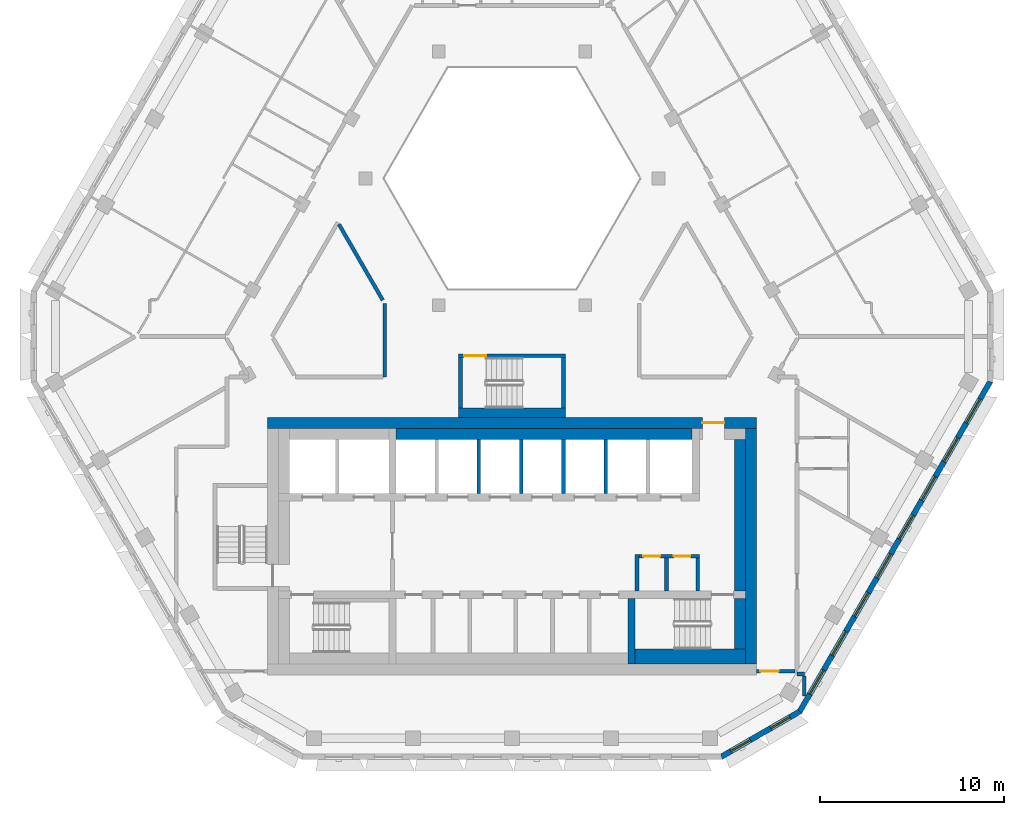
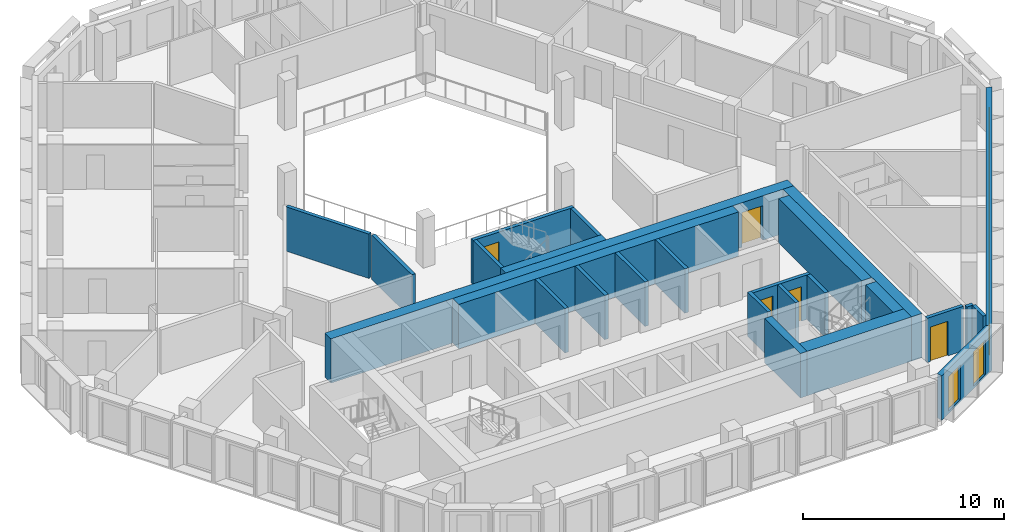
# One storey, part 5 of 17: 26 walls, 10 windows, 5 doors, 15 openings.
"""IFC4 building model written with IfcOpenShell, lengths in metres."""

import ifcopenshell
import ifcopenshell.guid

model = None  # the IFC model being written
_history = None  # IfcOwnerHistory: only IFC2X3 demands one
_inside = {}  # id of a spatial element -> (the spatial element, [elements in it])
_under = {}  # id of a project, library or spatial element -> (it, [spatial elements below it])
_declared = {}  # id of a project -> (the project, [libraries it declares])
_typed = {}  # id of a type object -> (the type object, [elements of that type])
_made_of = {}  # id of a material, layer set ... -> (it, [elements and type objects made of it])


def new_model(schema):
    """Start an empty IFC model of exactly this schema.

    Asked for "IFC4X3", IfcOpenShell would pick the latest addendum, in which some entities
    have other attributes; the version numbers below select the first issue.
    IFC2X3 requires an IfcOwnerHistory on every rooted entity: one is made here for all.
    """
    global model, _history
    if schema == "IFC4X3":
        model = ifcopenshell.file(schema_version=(4, 3, 0, 0))
    else:
        model = ifcopenshell.file(schema=schema)
    _inside.clear()
    _under.clear()
    _declared.clear()
    _typed.clear()
    _made_of.clear()
    _history = None
    if model.schema == "IFC2X3":
        org = make("IfcOrganization", Name="unknown")
        user = make(
            "IfcPersonAndOrganization",
            ThePerson=make("IfcPerson", FamilyName="unknown"),
            TheOrganization=org,
        )
        app = make(
            "IfcApplication",
            ApplicationDeveloper=org,
            Version="unknown",
            ApplicationFullName="unknown",
            ApplicationIdentifier="unknown",
        )
        _history = make(
            "IfcOwnerHistory",
            OwningUser=user,
            OwningApplication=app,
            ChangeAction="ADDED",
            CreationDate=0,
        )
    return model


def make(cls, **values):
    """One entity of the class cls with the attributes given. An attribute that is None is left unset."""
    return model.create_entity(
        cls, **{name: value for name, value in values.items() if value is not None}
    )


def rooted(cls, **values):
    """An entity with a GlobalId (a new one), such as an element, a storey or a relation."""
    return make(cls, GlobalId=ifcopenshell.guid.new(), OwnerHistory=_history, **values)


def si_unit(unit_type, name, prefix=None):
    """IfcSIUnit, for example si_unit("LENGTHUNIT", "METRE", prefix="MILLI")."""
    return make("IfcSIUnit", UnitType=unit_type, Prefix=prefix, Name=name)


def assignment(units):
    """IfcUnitAssignment: the units of a project."""
    return None if units is None else make("IfcUnitAssignment", Units=units)


def point(xyz):
    """IfcCartesianPoint."""
    return None if xyz is None else make("IfcCartesianPoint", Coordinates=xyz)


def direction(xyz):
    """IfcDirection."""
    return None if xyz is None else make("IfcDirection", DirectionRatios=xyz)


def frame(location, z_axis=None, x_axis=None):
    """IfcAxis2Placement3D, a coordinate frame: its origin and axes. An axis left out is left unset."""
    return make(
        "IfcAxis2Placement3D",
        Location=point(location),
        Axis=direction(z_axis),
        RefDirection=direction(x_axis),
    )


def frame_2d(location, x_axis=None):
    """IfcAxis2Placement2D, a coordinate frame in the plane: its origin and x axis."""
    return make(
        "IfcAxis2Placement2D", Location=point(location), RefDirection=direction(x_axis)
    )


def origin():
    """The frame at (0, 0, 0) with its axes left unset."""
    return frame((0.0, 0.0, 0.0))


def place(relative_to, where):
    """IfcLocalPlacement: puts the frame where relative to a parent placement (None: the world)."""
    return make(
        "IfcLocalPlacement", PlacementRelTo=relative_to, RelativePlacement=where
    )


def context(
    kind, dimensions, precision=None, world=None, true_north=None, identifier=None
):
    """IfcGeometricRepresentationContext, for example the 3D "Model" context."""
    return make(
        "IfcGeometricRepresentationContext",
        ContextIdentifier=identifier,
        ContextType=kind,
        CoordinateSpaceDimension=dimensions,
        Precision=precision,
        WorldCoordinateSystem=world,
        TrueNorth=true_north,
    )


def subcontext(parent, identifier, kind, view, scale=None):
    """IfcGeometricRepresentationSubContext, for example "Body" below "Model"."""
    return make(
        "IfcGeometricRepresentationSubContext",
        ContextIdentifier=identifier,
        ContextType=kind,
        ParentContext=parent,
        TargetScale=scale,
        TargetView=view,
    )


def project(units=None, contexts=None):
    """IfcProject with its units and contexts."""
    return rooted(
        "IfcProject",
        Name="project",
        RepresentationContexts=contexts,
        UnitsInContext=assignment(units),
    )


def spatial(cls, under=None, at=None, **own):
    """A site, building, storey or space (cls), placed at a placement, below another one or the project."""
    s = rooted(cls, ObjectPlacement=at, **own)
    if under is not None:
        _under.setdefault(under.id(), (under, []))[1].append(s)
    return s


def polyline(points):
    """IfcPolyline through the points."""
    return make("IfcPolyline", Points=[point(p) for p in points])


def profile(cls, at=None, kind="AREA", **sizes):
    """A parametric profile (cls). Its sizes go by their IFC names, for example OverallWidth=200.0."""
    return make(cls, ProfileType=kind, Position=at, **sizes)


def rectangle(**sizes):
    """IfcRectangleProfileDef."""
    return profile("IfcRectangleProfileDef", **sizes)


def outline(outer, holes=None, kind="AREA"):
    """IfcArbitraryClosedProfileDef: a profile drawn as a closed curve; with holes, ...WithVoids."""
    if holes is None:
        return make("IfcArbitraryClosedProfileDef", ProfileType=kind, OuterCurve=outer)
    return make(
        "IfcArbitraryProfileDefWithVoids",
        ProfileType=kind,
        OuterCurve=outer,
        InnerCurves=holes,
    )


def extrude(swept, where, along, depth):
    """IfcExtrudedAreaSolid: the profile swept, set in the frame where, extruded along a direction by depth."""
    return make(
        "IfcExtrudedAreaSolid",
        SweptArea=swept,
        Position=where,
        ExtrudedDirection=direction(along),
        Depth=depth,
    )


def shape(context_of_items, identifier, shape_type, items):
    """IfcShapeRepresentation: the items that make up one representation, for example the "Body"."""
    return make(
        "IfcShapeRepresentation",
        ContextOfItems=context_of_items,
        RepresentationIdentifier=identifier,
        RepresentationType=shape_type,
        Items=items,
    )


def material(Name=None, Category=None):
    """IfcMaterial."""
    return make("IfcMaterial", Name=Name, Category=Category)


def layer(
    of_material, thickness, ventilated=None, Name=None, Category=None, Priority=None
):
    """IfcMaterialLayer: one layer of a wall or slab, of a material (None: an air gap)."""
    return make(
        "IfcMaterialLayer",
        Material=of_material,
        LayerThickness=thickness,
        IsVentilated=ventilated,
        Name=Name,
        Category=Category,
        Priority=Priority,
    )


def layer_set(layers, Name=None):
    """IfcMaterialLayerSet."""
    return make("IfcMaterialLayerSet", MaterialLayers=layers, LayerSetName=Name)


def made_of(thing, what):
    """Note that an element or type object is made of a material, layer set ...; save() writes the relation."""
    if what is not None:
        _made_of.setdefault(what.id(), (what, []))[1].append(thing)
    return thing


def type_object(cls, material=None, **own):
    """A type object (cls), such as IfcWallType, which elements share."""
    return made_of(rooted(cls, **own), material)


def element(
    cls,
    number,
    at=None,
    inside=None,
    cuts=None,
    type_object=None,
    material=None,
    context=None,
    identifier="Body",
    shape_type=None,
    held_by="IfcProductDefinitionShape",
    body=None,
    shapes=None,
    **own,
):
    """One element of the class cls, such as IfcWall. Its Tag is "e" and its number.

    at: its placement. inside: the storey or other place that contains it. cuts: it is an
    opening in that element (IfcRelVoidsElement). A single representation is given by context,
    identifier, shape_type and body (its items); several are given by shapes. held_by: the class
    of the entity that holds the representations. save() writes the other relations.
    """
    e = rooted(cls, Tag="e%d" % number, ObjectPlacement=at, **own)
    if body is not None:
        shapes = [shape(context, identifier, shape_type, body)]
    if shapes is not None:
        e.Representation = make(held_by, Representations=shapes)
    if inside is not None:
        _inside.setdefault(inside.id(), (inside, []))[1].append(e)
    if cuts is not None:
        rooted(
            "IfcRelVoidsElement", RelatingBuildingElement=cuts, RelatedOpeningElement=e
        )
    if type_object is not None:
        _typed.setdefault(type_object.id(), (type_object, []))[1].append(e)
    return made_of(e, material)


def fill(opening, filler):
    """IfcRelFillsElement: the door or window that sits in an opening."""
    return rooted(
        "IfcRelFillsElement",
        RelatingOpeningElement=opening,
        RelatedBuildingElement=filler,
    )


def aggregate(whole, parts):
    """IfcRelAggregates: a whole, such as a stair, and the parts it consists of."""
    return rooted("IfcRelAggregates", RelatingObject=whole, RelatedObjects=parts)


def save(model, path):
    """Write the relations noted so far, then the file.

    IfcRelAggregates (storeys below a building ...), IfcRelContainedInSpatialStructure (elements
    in a storey), IfcRelDefinesByType, IfcRelAssociatesMaterial and IfcRelDeclares: one each for
    every whole, place, type object, material and project.
    """
    for whole, parts in _under.values():
        aggregate(whole, parts)
    for where, things in _inside.values():
        rooted(
            "IfcRelContainedInSpatialStructure",
            RelatedElements=things,
            RelatingStructure=where,
        )
    for kind, things in _typed.values():
        rooted("IfcRelDefinesByType", RelatedObjects=things, RelatingType=kind)
    for what, things in _made_of.values():
        rooted("IfcRelAssociatesMaterial", RelatedObjects=things, RelatingMaterial=what)
    for by, libraries in _declared.values():
        rooted("IfcRelDeclares", RelatingContext=by, RelatedDefinitions=libraries)
    model.write(path)


model = new_model("IFC4")

# Units and contexts
model_context = context("Model", 3, precision=1e-05, world=origin(), true_north=direction((0.0, 1.0)))
body_context = subcontext(model_context, "Body", "Model", "MODEL_VIEW")
ifc_project = project(units=[si_unit("LENGTHUNIT", "METRE"), si_unit("AREAUNIT", "SQUARE_METRE"), si_unit("VOLUMEUNIT", "CUBIC_METRE"), si_unit("PLANEANGLEUNIT", "RADIAN"), si_unit("MASSUNIT", "GRAM", prefix="KILO")], contexts=[model_context])

# Site, building, storey
site_placement = place(None, origin())
site = spatial("IfcSite", under=ifc_project, at=site_placement, CompositionType="ELEMENT")
building_placement = place(site_placement, origin())
building = spatial("IfcBuilding", under=site, at=building_placement, Name="Beryl Residences", CompositionType="ELEMENT")
storey_placement = place(building_placement, frame((0.0, 0.0, 172.199951171875)))
storey = spatial("IfcBuildingStorey", under=building, at=storey_placement, Name="L52", CompositionType="ELEMENT", Elevation=172.199951171875)

# Wall, openings, windows
ifc_material_1 = material(Name="Composite metal panel with mineral wool insulation")
ifc_layer_1 = layer(ifc_material_1, 0.300048828125)
ifc_layer_set_1 = layer_set([ifc_layer_1], Name="ES1 pale metal composite panel wall 300 mm")
wall_type_1 = type_object("IfcWallType", Name="ES1 pale metal composite panel wall 300 mm", PredefinedType="SOLIDWALL", material=ifc_layer_set_1)
wall_1_placement = place(storey_placement, frame((11.35595703125, -23.469970703125, 0.0), z_axis=(0.0, 0.0, 1.0), x_axis=(0.866022959057, 0.500004234368, 0.0)))
wall_1 = element("IfcWall", 1, at=wall_1_placement, inside=storey, type_object=wall_type_1, Name="ES1 external wall L52 S-SE", PredefinedType="SOLIDWALL", context=body_context, shape_type="SweptSolid", body=[
    extrude(outline(polyline([(0.0, -0.14990234375), (5.0, -0.14990234375), (4.919677734375, 0.14990234375), (0.080322265625, 0.14990234375), (0.0, -0.14990234375)])), origin(), (0.0, 0.0, 1.0), 2.699951171875),
])
opening_1_placement = place(wall_1_placement, frame((0.64990234375, 0.0, 0.14990234375)))
opening_1 = element("IfcOpeningElement", 2, at=opening_1_placement, cuts=wall_1, Name="Opening W2", PredefinedType="OPENING", context=body_context, shape_type="SweptSolid", body=[
    extrude(rectangle(XDim=1.199951171875, YDim=2.10009765625, at=frame_2d((0.60009765625, 1.050048828125))), frame((0.0, 0.159912109375, 0.0), z_axis=(0.0, -1.0, 0.0), x_axis=(1.0, 0.0, 0.0)), (0.0, 0.0, 1.0), 0.320068359375),
])
opening_2_placement = place(wall_1_placement, frame((3.14892578125, 0.0, 0.14990234375)))
opening_2 = element("IfcOpeningElement", 3, at=opening_2_placement, cuts=wall_1, Name="Opening W2", PredefinedType="OPENING", context=body_context, shape_type="SweptSolid", body=[
    extrude(rectangle(XDim=1.199951171875, YDim=2.10009765625, at=frame_2d((0.60009765625, 1.050048828125))), frame((0.0, 0.159912109375, 0.0), z_axis=(0.0, -1.0, 0.0), x_axis=(1.0, 0.0, 0.0)), (0.0, 0.0, 1.0), 0.320068359375),
])
ifc_material_2 = material(Name="Aluminium and clear glass", Category="aluminium")
window_type_1 = type_object("IfcWindowType", Name="W2 chamfer window 1200 x 2100 mm", PartitioningType="SINGLE_PANEL", PredefinedType="WINDOW", material=ifc_material_2)
window_1_placement = place(opening_1_placement, origin())
window_1 = element("IfcWindow", 4, at=window_1_placement, inside=storey, type_object=window_type_1, Name="W2 window L52 S-SE 1", OverallHeight=2.10009765625, OverallWidth=1.199951171875, PartitioningType="SINGLE_PANEL", PredefinedType="WINDOW", context=body_context, shape_type="SweptSolid", body=[
    extrude(rectangle(XDim=1.199951171875, YDim=2.10009765625, at=frame_2d((0.60009765625, 1.050048828125))), frame((0.0, 0.030029296875, 0.0), z_axis=(0.0, -1.0, 0.0), x_axis=(1.0, 0.0, 0.0)), (0.0, 0.0, 1.0), 0.06005859375),
])
fill(opening_1, window_1)
window_2_placement = place(opening_2_placement, origin())
window_2 = element("IfcWindow", 5, at=window_2_placement, inside=storey, type_object=window_type_1, Name="W2 window L52 S-SE 2", OverallHeight=2.10009765625, OverallWidth=1.199951171875, PartitioningType="SINGLE_PANEL", PredefinedType="WINDOW", context=body_context, shape_type="SweptSolid", body=[
    extrude(rectangle(XDim=1.199951171875, YDim=2.10009765625, at=frame_2d((0.60009765625, 1.050048828125))), frame((0.0, 0.030029296875, 0.0), z_axis=(0.0, -1.0, 0.0), x_axis=(1.0, 0.0, 0.0)), (0.0, 0.0, 1.0), 0.06005859375),
])
fill(opening_2, window_2)

wall_2_placement = place(storey_placement, frame((15.631103515625, -21.02490234375, 0.0), z_axis=(0.0, 0.0, 1.0), x_axis=(0.500018670445, 0.86601462413, 0.0)))
wall_2 = element("IfcWall", 6, at=wall_2_placement, inside=storey, type_object=wall_type_1, Name="ES1 external wall L52 SE", PredefinedType="SOLIDWALL", context=body_context, shape_type="SweptSolid", body=[
    extrude(outline(polyline([(0.0, -0.14990234375), (20.784912109375, -0.14990234375), (20.70458984375, 0.14990234375), (0.080322265625, 0.14990234375), (0.0, -0.14990234375)])), origin(), (0.0, 0.0, 1.0), 2.699951171875),
])
opening_3_placement = place(wall_2_placement, frame((1.1298828125, 0.0, 0.14990234375)))
opening_3 = element("IfcOpeningElement", 7, at=opening_3_placement, cuts=wall_2, Name="Opening W1", PredefinedType="OPENING", context=body_context, shape_type="SweptSolid", body=[
    extrude(rectangle(XDim=1.5, YDim=2.10009765625, at=frame_2d((0.75, 1.050048828125))), frame((0.0, 0.159912109375, 0.0), z_axis=(0.0, -1.0, 0.0), x_axis=(1.0, 0.0, 0.0)), (0.0, 0.0, 1.0), 0.320068359375),
])
opening_4_placement = place(wall_2_placement, frame((3.56201171875, 0.0, 0.14990234375)))
opening_4 = element("IfcOpeningElement", 8, at=opening_4_placement, cuts=wall_2, Name="Opening W1", PredefinedType="OPENING", context=body_context, shape_type="SweptSolid", body=[
    extrude(rectangle(XDim=1.5, YDim=2.10009765625, at=frame_2d((0.75, 1.050048828125))), frame((0.0, 0.159912109375, 0.0), z_axis=(0.0, -1.0, 0.0), x_axis=(1.0, 0.0, 0.0)), (0.0, 0.0, 1.0), 0.320068359375),
])
opening_5_placement = place(wall_2_placement, frame((5.993896484375, 0.0, 0.14990234375)))
opening_5 = element("IfcOpeningElement", 9, at=opening_5_placement, cuts=wall_2, Name="Opening W1", PredefinedType="OPENING", context=body_context, shape_type="SweptSolid", body=[
    extrude(rectangle(XDim=1.5, YDim=2.10009765625, at=frame_2d((0.75, 1.050048828125))), frame((0.0, 0.159912109375, 0.0), z_axis=(0.0, -1.0, 0.0), x_axis=(1.0, 0.0, 0.0)), (0.0, 0.0, 1.0), 0.320068359375),
])
opening_6_placement = place(wall_2_placement, frame((8.425048828125, 0.0, 0.14990234375)))
opening_6 = element("IfcOpeningElement", 10, at=opening_6_placement, cuts=wall_2, Name="Opening W1", PredefinedType="OPENING", context=body_context, shape_type="SweptSolid", body=[
    extrude(rectangle(XDim=1.5, YDim=2.10009765625, at=frame_2d((0.75, 1.050048828125))), frame((0.0, 0.159912109375, 0.0), z_axis=(0.0, -1.0, 0.0), x_axis=(1.0, 0.0, 0.0)), (0.0, 0.0, 1.0), 0.320068359375),
])
opening_7_placement = place(wall_2_placement, frame((10.85693359375, 0.0, 0.14990234375)))
opening_7 = element("IfcOpeningElement", 11, at=opening_7_placement, cuts=wall_2, Name="Opening W1", PredefinedType="OPENING", context=body_context, shape_type="SweptSolid", body=[
    extrude(rectangle(XDim=1.5, YDim=2.10009765625, at=frame_2d((0.75, 1.050048828125))), frame((0.0, 0.159912109375, 0.0), z_axis=(0.0, -1.0, 0.0), x_axis=(1.0, 0.0, 0.0)), (0.0, 0.0, 1.0), 0.320068359375),
])
opening_8_placement = place(wall_2_placement, frame((13.2890625, 0.0, 0.14990234375)))
opening_8 = element("IfcOpeningElement", 12, at=opening_8_placement, cuts=wall_2, Name="Opening W1", PredefinedType="OPENING", context=body_context, shape_type="SweptSolid", body=[
    extrude(rectangle(XDim=1.5, YDim=2.10009765625, at=frame_2d((0.75, 1.050048828125))), frame((0.0, 0.159912109375, 0.0), z_axis=(0.0, -1.0, 0.0), x_axis=(1.0, 0.0, 0.0)), (0.0, 0.0, 1.0), 0.320068359375),
])
opening_9_placement = place(wall_2_placement, frame((15.721923828125, 0.0, 0.14990234375)))
opening_9 = element("IfcOpeningElement", 13, at=opening_9_placement, cuts=wall_2, Name="Opening W1", PredefinedType="OPENING", context=body_context, shape_type="SweptSolid", body=[
    extrude(rectangle(XDim=1.5, YDim=2.10009765625, at=frame_2d((0.75, 1.050048828125))), frame((0.0, 0.159912109375, 0.0), z_axis=(0.0, -1.0, 0.0), x_axis=(1.0, 0.0, 0.0)), (0.0, 0.0, 1.0), 0.320068359375),
])
opening_10_placement = place(wall_2_placement, frame((18.154052734375, 0.0, 0.14990234375)))
opening_10 = element("IfcOpeningElement", 14, at=opening_10_placement, cuts=wall_2, Name="Opening W1", PredefinedType="OPENING", context=body_context, shape_type="SweptSolid", body=[
    extrude(rectangle(XDim=1.5, YDim=2.10009765625, at=frame_2d((0.75, 1.050048828125))), frame((0.0, 0.159912109375, 0.0), z_axis=(0.0, -1.0, 0.0), x_axis=(1.0, 0.0, 0.0)), (0.0, 0.0, 1.0), 0.320068359375),
])
ifc_material_3 = material(Name="Aluminium and clear glass", Category="aluminium")
window_type_2 = type_object("IfcWindowType", Name="W1 cell window 1500 x 2100 mm", PartitioningType="SINGLE_PANEL", PredefinedType="WINDOW", material=ifc_material_3)
window_3_placement = place(opening_3_placement, origin())
window_3 = element("IfcWindow", 15, at=window_3_placement, inside=storey, type_object=window_type_2, Name="W1 window L52 SE 1", OverallHeight=2.10009765625, OverallWidth=1.5, PartitioningType="SINGLE_PANEL", PredefinedType="WINDOW", context=body_context, shape_type="SweptSolid", body=[
    extrude(rectangle(XDim=1.5, YDim=2.10009765625, at=frame_2d((0.75, 1.050048828125))), frame((0.0, 0.030029296875, 0.0), z_axis=(0.0, -1.0, 0.0), x_axis=(1.0, 0.0, 0.0)), (0.0, 0.0, 1.0), 0.06005859375),
])
fill(opening_3, window_3)
window_4_placement = place(opening_4_placement, origin())
window_4 = element("IfcWindow", 16, at=window_4_placement, inside=storey, type_object=window_type_2, Name="W1 window L52 SE 2", OverallHeight=2.10009765625, OverallWidth=1.5, PartitioningType="SINGLE_PANEL", PredefinedType="WINDOW", context=body_context, shape_type="SweptSolid", body=[
    extrude(rectangle(XDim=1.5, YDim=2.10009765625, at=frame_2d((0.75, 1.050048828125))), frame((0.0, 0.030029296875, 0.0), z_axis=(0.0, -1.0, 0.0), x_axis=(1.0, 0.0, 0.0)), (0.0, 0.0, 1.0), 0.06005859375),
])
fill(opening_4, window_4)
window_5_placement = place(opening_5_placement, origin())
window_5 = element("IfcWindow", 17, at=window_5_placement, inside=storey, type_object=window_type_2, Name="W1 window L52 SE 3", OverallHeight=2.10009765625, OverallWidth=1.5, PartitioningType="SINGLE_PANEL", PredefinedType="WINDOW", context=body_context, shape_type="SweptSolid", body=[
    extrude(rectangle(XDim=1.5, YDim=2.10009765625, at=frame_2d((0.75, 1.050048828125))), frame((0.0, 0.030029296875, 0.0), z_axis=(0.0, -1.0, 0.0), x_axis=(1.0, 0.0, 0.0)), (0.0, 0.0, 1.0), 0.06005859375),
])
fill(opening_5, window_5)
window_6_placement = place(opening_6_placement, origin())
window_6 = element("IfcWindow", 18, at=window_6_placement, inside=storey, type_object=window_type_2, Name="W1 window L52 SE 4", OverallHeight=2.10009765625, OverallWidth=1.5, PartitioningType="SINGLE_PANEL", PredefinedType="WINDOW", context=body_context, shape_type="SweptSolid", body=[
    extrude(rectangle(XDim=1.5, YDim=2.10009765625, at=frame_2d((0.75, 1.050048828125))), frame((0.0, 0.030029296875, 0.0), z_axis=(0.0, -1.0, 0.0), x_axis=(1.0, 0.0, 0.0)), (0.0, 0.0, 1.0), 0.06005859375),
])
fill(opening_6, window_6)
window_7_placement = place(opening_7_placement, origin())
window_7 = element("IfcWindow", 19, at=window_7_placement, inside=storey, type_object=window_type_2, Name="W1 window L52 SE 5", OverallHeight=2.10009765625, OverallWidth=1.5, PartitioningType="SINGLE_PANEL", PredefinedType="WINDOW", context=body_context, shape_type="SweptSolid", body=[
    extrude(rectangle(XDim=1.5, YDim=2.10009765625, at=frame_2d((0.75, 1.050048828125))), frame((0.0, 0.030029296875, 0.0), z_axis=(0.0, -1.0, 0.0), x_axis=(1.0, 0.0, 0.0)), (0.0, 0.0, 1.0), 0.06005859375),
])
fill(opening_7, window_7)
window_8_placement = place(opening_8_placement, origin())
window_8 = element("IfcWindow", 20, at=window_8_placement, inside=storey, type_object=window_type_2, Name="W1 window L52 SE 6", OverallHeight=2.10009765625, OverallWidth=1.5, PartitioningType="SINGLE_PANEL", PredefinedType="WINDOW", context=body_context, shape_type="SweptSolid", body=[
    extrude(rectangle(XDim=1.5, YDim=2.10009765625, at=frame_2d((0.75, 1.050048828125))), frame((0.0, 0.030029296875, 0.0), z_axis=(0.0, -1.0, 0.0), x_axis=(1.0, 0.0, 0.0)), (0.0, 0.0, 1.0), 0.06005859375),
])
fill(opening_8, window_8)
window_9_placement = place(opening_9_placement, origin())
window_9 = element("IfcWindow", 21, at=window_9_placement, inside=storey, type_object=window_type_2, Name="W1 window L52 SE 7", OverallHeight=2.10009765625, OverallWidth=1.5, PartitioningType="SINGLE_PANEL", PredefinedType="WINDOW", context=body_context, shape_type="SweptSolid", body=[
    extrude(rectangle(XDim=1.5, YDim=2.10009765625, at=frame_2d((0.75, 1.050048828125))), frame((0.0, 0.030029296875, 0.0), z_axis=(0.0, -1.0, 0.0), x_axis=(1.0, 0.0, 0.0)), (0.0, 0.0, 1.0), 0.06005859375),
])
fill(opening_9, window_9)
window_10_placement = place(opening_10_placement, origin())
window_10 = element("IfcWindow", 22, at=window_10_placement, inside=storey, type_object=window_type_2, Name="W1 window L52 SE 8", OverallHeight=2.10009765625, OverallWidth=1.5, PartitioningType="SINGLE_PANEL", PredefinedType="WINDOW", context=body_context, shape_type="SweptSolid", body=[
    extrude(rectangle(XDim=1.5, YDim=2.10009765625, at=frame_2d((0.75, 1.050048828125))), frame((0.0, 0.030029296875, 0.0), z_axis=(0.0, -1.0, 0.0), x_axis=(1.0, 0.0, 0.0)), (0.0, 0.0, 1.0), 0.06005859375),
])
fill(opening_10, window_10)

# Wall
ifc_material_4 = material(Name="Concrete masonry", Category="masonry")
ifc_layer_2 = layer(ifc_material_4, 0.199951171875)
ifc_layer_set_2 = layer_set([ifc_layer_2], Name="PT13 lobby wall 200 mm")
wall_type_2 = type_object("IfcWallType", Name="PT13 lobby wall 200 mm", PredefinedType="PARTITIONING", material=ifc_layer_set_2)
wall_3_placement = place(storey_placement, frame((6.800048828125, -14.449951171875, 0.0), z_axis=(0.0, 0.0, 1.0), x_axis=(0.0, 1.0, 0.0)))
element("IfcWall", 23, at=wall_3_placement, inside=storey, type_object=wall_type_2, Name="Lobby wall 26", PredefinedType="PARTITIONING", context=body_context, shape_type="SweptSolid", body=[
    extrude(rectangle(XDim=2.0, YDim=0.199951171875, at=frame_2d((1.0, 0.0))), origin(), (0.0, 0.0, 1.0), 2.699951171875),
])

# Wall, openings, doors
wall_4_placement = place(storey_placement, frame((6.89990234375, -12.550048828125, 0.0), z_axis=(0.0, 0.0, 1.0), x_axis=(1.0, 0.0, 0.0)))
wall_4 = element("IfcWall", 24, at=wall_4_placement, inside=storey, type_object=wall_type_2, Name="Lobby wall 27", PredefinedType="PARTITIONING", context=body_context, shape_type="SweptSolid", body=[
    extrude(rectangle(XDim=3.300048828125, YDim=0.199951171875, at=frame_2d((1.64990234375, 0.0))), origin(), (0.0, 0.0, 1.0), 2.699951171875),
])
opening_11_placement = place(wall_4_placement, frame((1.14990234375, 0.0, 0.0), z_axis=(0.0, 0.0, 1.0), x_axis=(-1.0, 0.0, 0.0)))
opening_11 = element("IfcOpeningElement", 25, at=opening_11_placement, cuts=wall_4, Name="Opening CD-D-A1-900", PredefinedType="OPENING", context=body_context, shape_type="SweptSolid", body=[
    extrude(rectangle(XDim=0.89990234375, YDim=2.10009765625, at=frame_2d((0.449951171875, 1.050048828125))), frame((0.0, 0.10986328125, 0.0), z_axis=(0.0, -1.0, 0.0), x_axis=(1.0, 0.0, 0.0)), (0.0, 0.0, 1.0), 0.219970703125),
])
opening_12_placement = place(wall_4_placement, frame((2.7998046875, 0.0, 0.0), z_axis=(0.0, 0.0, 1.0), x_axis=(-1.0, 0.0, 0.0)))
opening_12 = element("IfcOpeningElement", 26, at=opening_12_placement, cuts=wall_4, Name="Opening CD-D-A2-900", PredefinedType="OPENING", context=body_context, shape_type="SweptSolid", body=[
    extrude(rectangle(XDim=0.89990234375, YDim=2.10009765625, at=frame_2d((0.449951171875, 1.050048828125))), frame((0.0, 0.10986328125, 0.0), z_axis=(0.0, -1.0, 0.0), x_axis=(1.0, 0.0, 0.0)), (0.0, 0.0, 1.0), 0.219970703125),
])
ifc_material_5 = material(Name="Steel door leaf in steel frame", Category="steel")
door_type_1 = type_object("IfcDoorType", Name="D6 service room door 900 x 2100 mm", OperationType="SINGLE_SWING_LEFT", PredefinedType="DOOR", material=ifc_material_5)
door_1_placement = place(opening_11_placement, origin())
door_1 = element("IfcDoor", 27, at=door_1_placement, inside=storey, type_object=door_type_1, Name="Door CD-D-A1-900 L52 001", OperationType="SINGLE_SWING_RIGHT", OverallHeight=2.10009765625, OverallWidth=0.89990234375, PredefinedType="DOOR", context=body_context, shape_type="SweptSolid", body=[
    extrude(rectangle(XDim=0.89990234375, YDim=2.10009765625, at=frame_2d((0.449951171875, 1.050048828125))), frame((0.0, 0.02490234375, 0.0), z_axis=(0.0, -1.0, 0.0), x_axis=(1.0, 0.0, 0.0)), (0.0, 0.0, 1.0), 0.050048828125),
])
fill(opening_11, door_1)
door_2_placement = place(opening_12_placement, origin())
door_2 = element("IfcDoor", 28, at=door_2_placement, inside=storey, type_object=door_type_1, Name="Door CD-D-A2-900 L52 001", OperationType="SINGLE_SWING_LEFT", OverallHeight=2.10009765625, OverallWidth=0.89990234375, PredefinedType="DOOR", context=body_context, shape_type="SweptSolid", body=[
    extrude(rectangle(XDim=0.89990234375, YDim=2.10009765625, at=frame_2d((0.449951171875, 1.050048828125))), frame((0.0, 0.02490234375, 0.0), z_axis=(0.0, -1.0, 0.0), x_axis=(1.0, 0.0, 0.0)), (0.0, 0.0, 1.0), 0.050048828125),
])
fill(opening_12, door_2)

# Walls
wall_5_placement = place(storey_placement, frame((10.10009765625, -14.449951171875, 0.0), z_axis=(0.0, 0.0, 1.0), x_axis=(0.0, 1.0, 0.0)))
element("IfcWall", 29, at=wall_5_placement, inside=storey, type_object=wall_type_2, Name="Lobby wall 30", PredefinedType="PARTITIONING", context=body_context, shape_type="SweptSolid", body=[
    extrude(rectangle(XDim=1.800048828125, YDim=0.199951171875, at=frame_2d((0.89990234375, 0.0))), origin(), (0.0, 0.0, 1.0), 2.699951171875),
])
ifc_material_6 = material(Name="Concrete masonry", Category="masonry")
ifc_layer_3 = layer(ifc_material_6, 0.60009765625)
ifc_layer_set_3 = layer_set([ifc_layer_3], Name="PT13-600 lobby wall 600 mm")
wall_type_3 = type_object("IfcWallType", Name="PT13-600 lobby wall 600 mm", PredefinedType="PARTITIONING", material=ifc_layer_set_3)
wall_6_placement = place(storey_placement, frame((12.39990234375, -14.449951171875, 0.0), z_axis=(0.0, 0.0, 1.0), x_axis=(0.0, 1.0, 0.0)))
element("IfcWall", 30, at=wall_6_placement, inside=storey, type_object=wall_type_3, Name="Lobby wall 34", PredefinedType="PARTITIONING", context=body_context, shape_type="SweptSolid", body=[
    extrude(rectangle(XDim=8.25, YDim=0.60009765625, at=frame_2d((4.125, 0.0))), origin(), (0.0, 0.0, 1.0), 2.699951171875),
])
ifc_material_7 = material(Name="Acoustic double stud gypsum board wall")
ifc_layer_4 = layer(ifc_material_7, 0.199951171875)
ifc_layer_set_4 = layer_set([ifc_layer_4], Name="PT3 party wall 200 mm acoustic double stud")
wall_type_4 = type_object("IfcWallType", Name="PT3 party wall 200 mm acoustic double stud", PredefinedType="PARTITIONING", material=ifc_layer_set_4)
wall_7_placement = place(storey_placement, frame((15.89990234375, -19.051025390625, 0.0), z_axis=(0.0, 0.0, 1.0), x_axis=(0.0, -1.0, 0.0)))
element("IfcWall", 31, at=wall_7_placement, inside=storey, type_object=wall_type_4, Name="Wall PT3 L52 003", PredefinedType="PARTITIONING", context=body_context, shape_type="SweptSolid", body=[
    extrude(rectangle(XDim=1.0869140625, YDim=0.199951171875, at=frame_2d((0.54345703125, 0.0))), origin(), (0.0, 0.0, 1.0), 2.699951171875),
])
wall_8_placement = place(storey_placement, frame((15.4990234375, -18.949951171875, 0.0), z_axis=(0.0, 0.0, 1.0), x_axis=(1.0, 0.0, 0.0)))
element("IfcWall", 32, at=wall_8_placement, inside=storey, type_object=wall_type_4, Name="Wall PT3 L52 015", PredefinedType="PARTITIONING", context=body_context, shape_type="SweptSolid", body=[
    extrude(rectangle(XDim=0.39990234375, YDim=0.199951171875, at=frame_2d((0.199951171875, 0.0))), origin(), (0.0, 0.0, 1.0), 2.699951171875),
])
ifc_material_8 = material(Name="Double stud gypsum board wall")
ifc_layer_5 = layer(ifc_material_8, 0.199951171875)
ifc_layer_set_5 = layer_set([ifc_layer_5], Name="PT4 corridor wall 200 mm double stud")
wall_type_5 = type_object("IfcWallType", Name="PT4 corridor wall 200 mm double stud", PredefinedType="PARTITIONING", material=ifc_layer_set_5)
wall_9_placement = place(storey_placement, frame((-9.410888671875, 5.5, 0.0), z_axis=(0.0, 0.0, 1.0), x_axis=(0.500018099276, -0.86601495391, 0.0)))
element("IfcWall", 33, at=wall_9_placement, inside=storey, type_object=wall_type_5, Name="Wall PT4 L52 001", PredefinedType="PARTITIONING", context=body_context, shape_type="SweptSolid", body=[
    extrude(rectangle(XDim=4.765380859375, YDim=0.199951171875, at=frame_2d((2.3828125, 0.0))), origin(), (0.0, 0.0, 1.0), 2.699951171875),
])

# Wall, opening, door
wall_10_placement = place(storey_placement, frame((13.300048828125, -18.800048828125, 0.0), z_axis=(0.0, 0.0, 1.0), x_axis=(1.0, 0.0, 0.0)))
wall_10 = element("IfcWall", 34, at=wall_10_placement, inside=storey, type_object=wall_type_5, Name="Wall PT4 L52 009", PredefinedType="PARTITIONING", context=body_context, shape_type="SweptSolid", body=[
    extrude(rectangle(XDim=2.098876953125, YDim=0.199951171875, at=frame_2d((1.04931640625, 0.0))), origin(), (0.0, 0.0, 1.0), 2.699951171875),
])
opening_13_placement = place(wall_10_placement, frame((0.199951171875, 0.0, 0.0)))
opening_13 = element("IfcOpeningElement", 35, at=opening_13_placement, cuts=wall_10, Name="Opening D1440", PredefinedType="OPENING", context=body_context, shape_type="SweptSolid", body=[
    extrude(rectangle(XDim=1.0, YDim=2.10009765625, at=frame_2d((0.5, 1.050048828125))), frame((0.0, 0.10986328125, 0.0), z_axis=(0.0, -1.0, 0.0), x_axis=(1.0, 0.0, 0.0)), (0.0, 0.0, 1.0), 0.219970703125),
])
ifc_material_9 = material(Name="Timber door leaf", Category="wood")
door_type_2 = type_object("IfcDoorType", Name="D1 flat entrance door 1000 x 2100 mm", OperationType="SINGLE_SWING_LEFT", PredefinedType="DOOR", material=ifc_material_9)
door_3_placement = place(opening_13_placement, origin())
door_3 = element("IfcDoor", 36, at=door_3_placement, inside=storey, type_object=door_type_2, Name="Door D1440 L52 001", OperationType="SINGLE_SWING_LEFT", OverallHeight=2.10009765625, OverallWidth=1.0, PredefinedType="DOOR", context=body_context, shape_type="SweptSolid", body=[
    extrude(rectangle(XDim=1.0, YDim=2.10009765625, at=frame_2d((0.5, 1.050048828125))), frame((0.0, 0.02490234375, 0.0), z_axis=(0.0, -1.0, 0.0), x_axis=(1.0, 0.0, 0.0)), (0.0, 0.0, 1.0), 0.050048828125),
])
fill(opening_13, door_3)

# Wall
wall_11_placement = place(storey_placement, frame((-6.927978515625, -2.800048828125, 0.0), z_axis=(0.0, 0.0, 1.0), x_axis=(0.0, 1.0, 0.0)))
element("IfcWall", 37, at=wall_11_placement, inside=storey, type_object=wall_type_5, Name="Wall PT4 L52 024", PredefinedType="PARTITIONING", context=body_context, shape_type="SweptSolid", body=[
    extrude(rectangle(XDim=4.0, YDim=0.199951171875, at=frame_2d((2.0, 0.0))), origin(), (0.0, 0.0, 1.0), 2.699951171875),
])

# Wall, opening, door
ifc_material_10 = material(Name="Concrete C40/50", Category="concrete")
ifc_layer_6 = layer(ifc_material_10, 0.199951171875)
ifc_layer_set_6 = layer_set([ifc_layer_6], Name="PT5 stair enclosure wall 200 mm reinforced concrete C40/50")
wall_type_6 = type_object("IfcWallType", Name="PT5 stair enclosure wall 200 mm reinforced concrete C40/50", PredefinedType="SOLIDWALL", material=ifc_layer_set_6)
wall_12_placement = place(storey_placement, frame((-2.89990234375, -1.64990234375, 0.0), z_axis=(0.0, 0.0, 1.0), x_axis=(1.0, 0.0, 0.0)))
wall_12 = element("IfcWall", 38, at=wall_12_placement, inside=storey, type_object=wall_type_6, Name="Wall PT5 L52 001", PredefinedType="SOLIDWALL", context=body_context, shape_type="SweptSolid", body=[
    extrude(rectangle(XDim=5.7998046875, YDim=0.199951171875, at=frame_2d((2.89990234375, 0.0))), origin(), (0.0, 0.0, 1.0), 2.699951171875),
])
opening_14_placement = place(wall_12_placement, frame((0.300048828125, 0.0, 0.0)))
opening_14 = element("IfcOpeningElement", 39, at=opening_14_placement, cuts=wall_12, Name="Opening DS04", PredefinedType="OPENING", context=body_context, shape_type="SweptSolid", body=[
    extrude(rectangle(XDim=1.199951171875, YDim=2.10009765625, at=frame_2d((0.60009765625, 1.050048828125))), frame((0.0, 0.10986328125, 0.0), z_axis=(0.0, -1.0, 0.0), x_axis=(1.0, 0.0, 0.0)), (0.0, 0.0, 1.0), 0.219970703125),
])
ifc_material_11 = material(Name="Steel door leaf in steel frame", Category="steel")
door_type_3 = type_object("IfcDoorType", Name="D4 stair door 1200 x 2100 mm", OperationType="SINGLE_SWING_LEFT", PredefinedType="DOOR", material=ifc_material_11)
door_4_placement = place(opening_14_placement, origin())
door_4 = element("IfcDoor", 40, at=door_4_placement, inside=storey, type_object=door_type_3, Name="Door DS04 L52 001", OperationType="SINGLE_SWING_LEFT", OverallHeight=2.10009765625, OverallWidth=1.199951171875, PredefinedType="DOOR", context=body_context, shape_type="SweptSolid", body=[
    extrude(rectangle(XDim=1.199951171875, YDim=2.10009765625, at=frame_2d((0.60009765625, 1.050048828125))), frame((0.0, 0.02490234375, 0.0), z_axis=(0.0, -1.0, 0.0), x_axis=(1.0, 0.0, 0.0)), (0.0, 0.0, 1.0), 0.050048828125),
])
fill(opening_14, door_4)

# Walls
for number, where, z_axis, x_axis, name in (
    (41, (-2.800048828125, -4.5, 0.0), (0.0, 0.0, 1.0), (0.0, 1.0, 0.0), "Wall PT5 L52 002"),
    (42, (2.800048828125, -4.5, 0.0), (0.0, 0.0, 1.0), (0.0, 1.0, 0.0), "Wall PT5 L52 003"),
):
    element("IfcWall", number, at=place(storey_placement, frame(where, z_axis=z_axis, x_axis=x_axis)), inside=storey, type_object=wall_type_6, Name=name, PredefinedType="SOLIDWALL", context=body_context, shape_type="SweptSolid", body=[
        extrude(rectangle(XDim=2.75, YDim=0.199951171875, at=frame_2d((1.375, 0.0))), origin(), (0.0, 0.0, 1.0), 2.699951171875),
    ])
ifc_material_12 = material(Name="Concrete C40/50", Category="concrete")
ifc_layer_7 = layer(ifc_material_12, 0.5)
ifc_layer_set_7 = layer_set([ifc_layer_7], Name="PT5-500 stair enclosure wall 500 mm")
wall_type_7 = type_object("IfcWallType", Name="PT5-500 stair enclosure wall 500 mm", PredefinedType="SOLIDWALL", material=ifc_layer_set_7)
wall_13_placement = place(storey_placement, frame((-2.89990234375, -4.75, 0.0), z_axis=(0.0, 0.0, 1.0), x_axis=(1.0, 0.0, 0.0)))
element("IfcWall", 43, at=wall_13_placement, inside=storey, type_object=wall_type_7, Name="Wall PT5-500 L52 001", PredefinedType="SOLIDWALL", context=body_context, shape_type="SweptSolid", body=[
    extrude(rectangle(XDim=5.7998046875, YDim=0.5, at=frame_2d((2.89990234375, 0.0))), origin(), (0.0, 0.0, 1.0), 2.699951171875),
])
ifc_material_13 = material(Name="Concrete C40/50", Category="concrete")
ifc_layer_8 = layer(ifc_material_13, 0.60009765625)
ifc_layer_set_8 = layer_set([ifc_layer_8], Name="PT5-600 stair enclosure wall 600 mm")
wall_type_8 = type_object("IfcWallType", Name="PT5-600 stair enclosure wall 600 mm", PredefinedType="SOLIDWALL", material=ifc_layer_set_8)
wall_14_placement = place(storey_placement, frame((12.39990234375, -17.60009765625, 0.0), z_axis=(0.0, 0.0, 1.0), x_axis=(0.0, 1.0, 0.0)))
element("IfcWall", 44, at=wall_14_placement, inside=storey, type_object=wall_type_8, Name="Stair wall 33", PredefinedType="SOLIDWALL", context=body_context, shape_type="SweptSolid", body=[
    extrude(rectangle(XDim=2.75, YDim=0.60009765625, at=frame_2d((1.375, 0.0))), origin(), (0.0, 0.0, 1.0), 2.699951171875),
])
ifc_material_14 = material(Name="Concrete C40/50", Category="concrete")
ifc_layer_9 = layer(ifc_material_14, 0.800048828125)
ifc_layer_set_9 = layer_set([ifc_layer_9], Name="PT5-800 stair enclosure wall 800 mm")
wall_type_9 = type_object("IfcWallType", Name="PT5-800 stair enclosure wall 800 mm", PredefinedType="SOLIDWALL", material=ifc_layer_set_9)
wall_15_placement = place(storey_placement, frame((6.699951171875, -18.0, 0.0), z_axis=(0.0, 0.0, 1.0), x_axis=(1.0, 0.0, 0.0)))
element("IfcWall", 45, at=wall_15_placement, inside=storey, type_object=wall_type_9, Name="Stair wall 25", PredefinedType="SOLIDWALL", context=body_context, shape_type="SweptSolid", body=[
    extrude(rectangle(XDim=6.0, YDim=0.800048828125, at=frame_2d((3.0, 0.0))), origin(), (0.0, 0.0, 1.0), 2.699951171875),
])
ifc_material_15 = material(Name="Concrete C40/50", Category="concrete")
ifc_layer_10 = layer(ifc_material_15, 0.199951171875)
ifc_layer_set_10 = layer_set([ifc_layer_10], Name="PT6 lift shaft wall 200 mm reinforced concrete C40/50")
wall_type_10 = type_object("IfcWallType", Name="PT6 lift shaft wall 200 mm reinforced concrete C40/50", PredefinedType="SOLIDWALL", material=ifc_layer_set_10)
for number, where, z_axis, x_axis, name in (
    (46, (-1.800048828125, -9.14990234375, 0.0), (0.0, 0.0, 1.0), (0.0, 1.0, 0.0), "Lift shaft wall 18"),
    (47, (0.5, -9.14990234375, 0.0), (0.0, 0.0, 1.0), (0.0, 1.0, 0.0), "Lift shaft wall 20"),
    (48, (2.800048828125, -9.14990234375, 0.0), (0.0, 0.0, 1.0), (0.0, 1.0, 0.0), "Lift shaft wall 22"),
    (49, (5.10009765625, -9.14990234375, 0.0), (0.0, 0.0, 1.0), (0.0, 1.0, 0.0), "Lift shaft wall 24"),
):
    element("IfcWall", number, at=place(storey_placement, frame(where, z_axis=z_axis, x_axis=x_axis)), inside=storey, type_object=wall_type_10, Name=name, PredefinedType="SOLIDWALL", context=body_context, shape_type="SweptSolid", body=[
        extrude(rectangle(XDim=2.949951171875, YDim=0.199951171875, at=frame_2d((1.47509765625, 0.0))), origin(), (0.0, 0.0, 1.0), 2.699951171875),
    ])
ifc_material_16 = material(Name="Concrete C40/50", Category="concrete")
ifc_layer_11 = layer(ifc_material_16, 0.60009765625)
ifc_layer_set_11 = layer_set([ifc_layer_11], Name="PT6-600 lift shaft wall 600 mm")
wall_type_11 = type_object("IfcWallType", Name="PT6-600 lift shaft wall 600 mm", PredefinedType="SOLIDWALL", material=ifc_layer_set_11)
wall_16_placement = place(storey_placement, frame((-6.300048828125, -5.89990234375, 0.0), z_axis=(0.0, 0.0, 1.0), x_axis=(1.0, 0.0, 0.0)))
element("IfcWall", 50, at=wall_16_placement, inside=storey, type_object=wall_type_11, Name="Lift shaft wall 14", PredefinedType="SOLIDWALL", context=body_context, shape_type="SweptSolid", body=[
    extrude(rectangle(XDim=16.10009765625, YDim=0.60009765625, at=frame_2d((8.050048828125, 0.0))), origin(), (0.0, 0.0, 1.0), 2.699951171875),
])
ifc_material_17 = material(Name="Concrete masonry", Category="masonry")
ifc_layer_12 = layer(ifc_material_17, 0.199951171875)
ifc_layer_set_12 = layer_set([ifc_layer_12], Name="PT8-200 service room wall 200 mm")
wall_type_12 = type_object("IfcWallType", Name="PT8-200 service room wall 200 mm", PredefinedType="PARTITIONING", material=ifc_layer_set_12)
wall_17_placement = place(storey_placement, frame((8.39990234375, -14.449951171875, 0.0), z_axis=(0.0, 0.0, 1.0), x_axis=(0.0, 1.0, 0.0)))
element("IfcWall", 51, at=wall_17_placement, inside=storey, type_object=wall_type_12, Name="Core room wall 29", PredefinedType="PARTITIONING", context=body_context, shape_type="SweptSolid", body=[
    extrude(rectangle(XDim=1.800048828125, YDim=0.199951171875, at=frame_2d((0.89990234375, 0.0))), origin(), (0.0, 0.0, 1.0), 2.699951171875),
])

# Wall, opening, door
ifc_material_18 = material(Name="Concrete C50/60", Category="concrete")
ifc_layer_13 = layer(ifc_material_18, 0.60009765625)
ifc_layer_set_13 = layer_set([ifc_layer_13], Name="SW4 core outer wall 600 mm C50/60")
wall_type_13 = type_object("IfcWallType", Name="SW4 core outer wall 600 mm C50/60", PredefinedType="SHEAR", material=ifc_layer_set_13)
wall_18_placement = place(storey_placement, frame((-13.300048828125, -5.300048828125, 0.0), z_axis=(0.0, 0.0, 1.0), x_axis=(1.0, 0.0, 0.0)))
wall_18 = element("IfcWall", 52, at=wall_18_placement, inside=storey, type_object=wall_type_13, Name="Core wall N L52", PredefinedType="SHEAR", context=body_context, shape_type="SweptSolid", body=[
    extrude(rectangle(XDim=26.60009765625, YDim=0.60009765625, at=frame_2d((13.300048828125, 0.0))), origin(), (0.0, 0.0, 1.0), 2.699951171875),
])
opening_15_placement = place(wall_18_placement, frame((23.64990234375, 0.0, 0.0)))
opening_15 = element("IfcOpeningElement", 53, at=opening_15_placement, cuts=wall_18, Name="Opening FD-NORTH", PredefinedType="OPENING", context=body_context, shape_type="SweptSolid", body=[
    extrude(rectangle(XDim=1.199951171875, YDim=2.10009765625, at=frame_2d((0.60009765625, 1.050048828125))), frame((0.0, 0.31005859375, 0.0), z_axis=(0.0, -1.0, 0.0), x_axis=(1.0, 0.0, 0.0)), (0.0, 0.0, 1.0), 0.6201171875),
])
ifc_material_19 = material(Name="Steel door leaf in steel frame", Category="steel")
door_type_4 = type_object("IfcDoorType", Name="D22 lobby door 1200 x 2100 mm", OperationType="DOUBLE_DOOR_SINGLE_SWING", PredefinedType="DOOR", material=ifc_material_19)
door_5_placement = place(opening_15_placement, origin())
door_5 = element("IfcDoor", 54, at=door_5_placement, inside=storey, type_object=door_type_4, Name="Door FD-NORTH L52 001", OperationType="DOUBLE_DOOR_SINGLE_SWING", OverallHeight=2.10009765625, OverallWidth=1.199951171875, PredefinedType="DOOR", context=body_context, shape_type="SweptSolid", body=[
    extrude(rectangle(XDim=1.199951171875, YDim=2.10009765625, at=frame_2d((0.60009765625, 1.050048828125))), frame((0.0, 0.02490234375, 0.0), z_axis=(0.0, -1.0, 0.0), x_axis=(1.0, 0.0, 0.0)), (0.0, 0.0, 1.0), 0.050048828125),
])
fill(opening_15, door_5)

# Walls
wall_19_placement = place(storey_placement, frame((13.0, -18.39990234375, 0.0), z_axis=(0.0, 0.0, 1.0), x_axis=(0.0, 1.0, 0.0)))
element("IfcWall", 55, at=wall_19_placement, inside=storey, type_object=wall_type_13, Name="Core wall E L52", PredefinedType="SHEAR", context=body_context, shape_type="SweptSolid", body=[
    extrude(rectangle(XDim=12.7998046875, YDim=0.60009765625, at=frame_2d((6.39990234375, 0.0))), origin(), (0.0, 0.0, 1.0), 2.699951171875),
])
ifc_material_20 = material(Name="Concrete C50/60", Category="concrete")
ifc_layer_14 = layer(ifc_material_20, 0.39990234375)
ifc_layer_set_14 = layer_set([ifc_layer_14], Name="SW9 core internal wall 400 mm C50/60")
wall_type_14 = type_object("IfcWallType", Name="SW9 core internal wall 400 mm C50/60", PredefinedType="SHEAR", material=ifc_layer_set_14)
wall_20_placement = place(storey_placement, frame((6.5, -18.39990234375, 0.0), z_axis=(0.0, 0.0, 1.0), x_axis=(0.0, 1.0, 0.0)))
element("IfcWall", 56, at=wall_20_placement, inside=storey, type_object=wall_type_14, Name="Core wall XS2 L52", PredefinedType="SHEAR", context=body_context, shape_type="SweptSolid", body=[
    extrude(rectangle(XDim=3.5498046875, YDim=0.39990234375, at=frame_2d((1.77490234375, 0.0))), origin(), (0.0, 0.0, 1.0), 2.699951171875),
])

save(model, "model.ifc")
